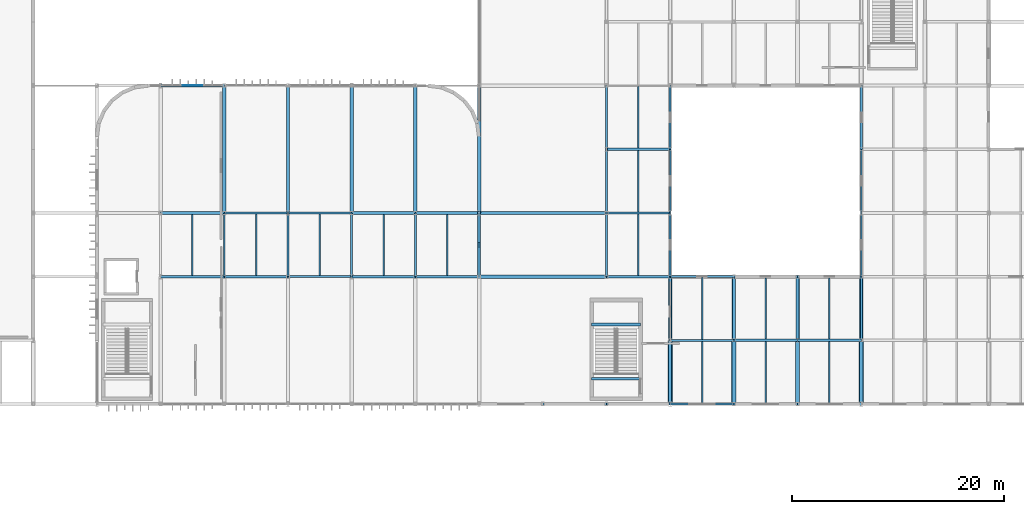
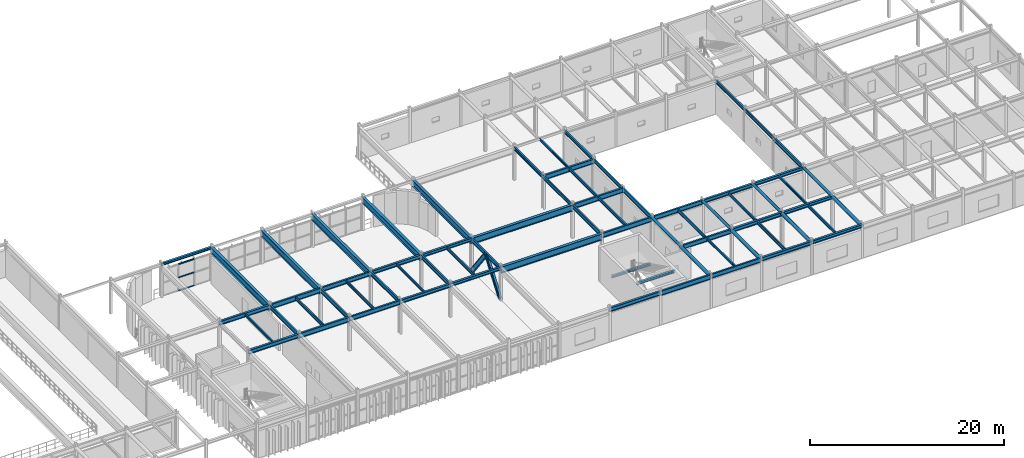
# One storey, part 48 of 96: 70 beams, 5 members, 1 element without a shape of its own.
"""IFC4 building model written with IfcOpenShell, lengths in metres."""

from ifc_helpers import new_model, si_unit, direction, frame, origin, origin_2d, place, context, subcontext, project, spatial, rectangle, hollow_circle, i_section, extrude, material, material_profile, profile_set, type_object, element, aggregate, save


model = new_model("IFC4")

# Units and contexts
model_context = context("Model", 3, precision=1e-05, world=origin(), true_north=direction((0.0, 1.0)))
body_context = subcontext(model_context, "Body", "Model", "MODEL_VIEW")
ifc_project = project(units=[si_unit("LENGTHUNIT", "METRE"), si_unit("AREAUNIT", "SQUARE_METRE"), si_unit("VOLUMEUNIT", "CUBIC_METRE"), si_unit("PLANEANGLEUNIT", "RADIAN"), si_unit("MASSUNIT", "GRAM", prefix="KILO")], contexts=[model_context])

# Site, building, storey
site_placement = place(None, origin())
site = spatial("IfcSite", under=ifc_project, at=site_placement, CompositionType="ELEMENT")
building_placement = place(site_placement, origin())
building = spatial("IfcBuilding", under=site, at=building_placement, Name="Varnakota Square Police Headquarters", CompositionType="ELEMENT")
storey_placement = place(building_placement, frame((0.0, 0.0, 4.800048828125)))
storey = spatial("IfcBuildingStorey", under=building, at=storey_placement, Name="L01", CompositionType="ELEMENT", Elevation=4.800048828125)

# Beams
ifc_material_1 = material(Name="Steel IS 2062 Grade 350", Category="steel")
ifc_material_profile_1 = material_profile(ifc_material_1, hollow_circle(Radius=0.161865234375, WallThickness=0.0126953125, at=origin_2d()), Name="CHS 323.9x12.7")
ifc_profile_set_1 = profile_set([ifc_material_profile_1], Name="Steel IS 2062 Grade 350")
beam_type_1 = type_object("IfcBeamType", Name="BM-ARC-CHS324", PredefinedType="BEAM", material=ifc_profile_set_1)
for number, where, z_axis, x_axis, name in (
    (1, (114.0, 75.0, 4.0380859375), (0.0, 1.0, 0.0), (-1.0, 0.0, 0.0), "BMG-L01-1689"),
    (2, (120.0, 75.0, 4.0380859375), (0.0, 1.0, 0.0), (-1.0, 0.0, 0.0), "BMG-L01-1698"),
    (3, (126.0, 75.0, 4.0380859375), (0.0, 1.0, 0.0), (-1.0, 0.0, 0.0), "BMG-L01-1704"),
    (4, (132.0, 75.0, 4.0380859375), (0.0, 1.0, 0.0), (-1.0, 0.0, 0.0), "BMG-L01-1710"),
):
    element("IfcBeam", number, at=place(storey_placement, frame(where, z_axis=z_axis, x_axis=x_axis)), inside=storey, type_object=beam_type_1, Name=name, PredefinedType="BEAM", context=body_context, shape_type="SweptSolid", body=[
        extrude(hollow_circle(Radius=0.161865234375, WallThickness=0.0126953125, at=origin_2d()), origin(), (0.0, 0.0, 1.0), 6.0),
    ])
ifc_material_profile_2 = material_profile(ifc_material_1, hollow_circle(Radius=0.203125, WallThickness=0.01611328125, at=origin_2d()), Name="CHS 406.4x16.0")
ifc_profile_set_2 = profile_set([ifc_material_profile_2], Name="Steel IS 2062 Grade 350")
beam_type_2 = type_object("IfcBeamType", Name="BM-ARC-CHS406", PredefinedType="BEAM", material=ifc_profile_set_2)
for number, where, z_axis, x_axis, name in (
    (5, (114.0, 69.0, 3.996826171875), (0.0, 1.0, 0.0), (-1.0, 0.0, 0.0), "BMG-L01-1688"),
    (6, (120.0, 69.0, 3.996826171875), (0.0, 1.0, 0.0), (-1.0, 0.0, 0.0), "BMG-L01-1697"),
    (7, (126.0, 69.0, 3.996826171875), (0.0, 1.0, 0.0), (-1.0, 0.0, 0.0), "BMG-L01-1703"),
    (8, (132.0, 69.0, 3.996826171875), (0.0, 1.0, 0.0), (-1.0, 0.0, 0.0), "BMG-L01-1709"),
):
    element("IfcBeam", number, at=place(storey_placement, frame(where, z_axis=z_axis, x_axis=x_axis)), inside=storey, type_object=beam_type_2, Name=name, PredefinedType="BEAM", context=body_context, shape_type="SweptSolid", body=[
        extrude(hollow_circle(Radius=0.203125, WallThickness=0.01611328125, at=origin_2d()), origin(), (0.0, 0.0, 1.0), 6.0),
    ])
ifc_material_profile_3 = material_profile(ifc_material_1, i_section(OverallWidth=0.320068359375, OverallDepth=0.800048828125, WebThickness=0.01611328125, FlangeThickness=0.028076171875, at=origin_2d()), Name="BPG 800x320")
ifc_profile_set_3 = profile_set([ifc_material_profile_3], Name="Steel IS 2062 Grade 350")
beam_type_3 = type_object("IfcBeamType", Name="BM-BPG800", PredefinedType="BEAM", material=ifc_profile_set_3)
for number, where, z_axis, x_axis, name in (
    (9, (96.0, 81.0, 3.800048828125), (1.0, 0.0, 0.0), (0.0, 1.0, 0.0), "BMG-L01-1464"),
    (10, (96.0, 87.0, 3.800048828125), (1.0, 0.0, 0.0), (0.0, 1.0, 0.0), "BMG-L01-1481"),
    (11, (72.0, 87.0, 3.800048828125), (0.0, 1.0, 0.0), (-1.0, 0.0, 0.0), "BMG-L01-1655"),
    (12, (78.0, 87.0, 3.800048828125), (0.0, 1.0, 0.0), (-1.0, 0.0, 0.0), "BMG-L01-1659"),
    (13, (84.0, 87.0, 3.800048828125), (0.0, 1.0, 0.0), (-1.0, 0.0, 0.0), "BMG-L01-1663"),
    (14, (90.0, 87.0, 3.800048828125), (0.0, 1.0, 0.0), (-1.0, 0.0, 0.0), "BMG-L01-1667"),
    (15, (96.0, 87.0, 3.800048828125), (0.0, 1.0, 0.0), (-1.0, 0.0, 0.0), "BMG-L01-1676"),
):
    element("IfcBeam", number, at=place(storey_placement, frame(where, z_axis=z_axis, x_axis=x_axis)), inside=storey, type_object=beam_type_3, Name=name, PredefinedType="BEAM", context=body_context, shape_type="SweptSolid", body=[
        extrude(i_section(OverallWidth=0.320068359375, OverallDepth=0.800048828125, WebThickness=0.01611328125, FlangeThickness=0.028076171875, at=origin_2d()), origin(), (0.0, 0.0, 1.0), 12.0),
    ])
ifc_material_profile_4 = material_profile(ifc_material_1, i_section(OverallWidth=0.25, OverallDepth=0.300048828125, WebThickness=0.009521484375, FlangeThickness=0.010498046875, FilletRadius=0.011962890625, at=origin_2d()), Name="ISHB 300")
ifc_profile_set_4 = profile_set([ifc_material_profile_4], Name="Steel IS 2062 Grade 350")
beam_type_4 = type_object("IfcBeamType", Name="BM-ISHB300", PredefinedType="BEAM", material=ifc_profile_set_4)
beam_1_placement = place(storey_placement, frame((66.0, 99.0, 4.050048828125), z_axis=(1.0, 0.0, 0.0), x_axis=(0.0, 1.0, 0.0)))
element("IfcBeam", 16, at=beam_1_placement, inside=storey, type_object=beam_type_4, Name="BMG-L01-1496", PredefinedType="BEAM", context=body_context, shape_type="SweptSolid", body=[
    extrude(i_section(OverallWidth=0.25, OverallDepth=0.300048828125, WebThickness=0.009521484375, FlangeThickness=0.010498046875, FilletRadius=0.011962890625, at=origin_2d()), origin(), (0.0, 0.0, 1.0), 6.0),
])
for number, where, z_axis, x_axis, name in (
    (17, (106.60009765625, 76.500732421875, 1.93798828125), (1.0, 0.0, 0.0), (0.0, 1.0, 0.0), "Stair landing support beam BM-LND-0098"),
    (18, (106.60009765625, 71.400146484375, 4.14990234375), (1.0, 0.0, 0.0), (0.0, 1.0, 0.0), "Stair landing support beam BM-LND-0099"),
):
    element("IfcBeam", number, at=place(storey_placement, frame(where, z_axis=z_axis, x_axis=x_axis)), inside=storey, type_object=beam_type_4, Name=name, PredefinedType="BEAM", context=body_context, shape_type="SweptSolid", body=[
        extrude(i_section(OverallWidth=0.25, OverallDepth=0.300048828125, WebThickness=0.009521484375, FlangeThickness=0.010498046875, FilletRadius=0.011962890625, at=origin_2d()), origin(), (0.0, 0.0, 1.0), 4.599853515625),
    ])
ifc_material_profile_5 = material_profile(ifc_material_1, i_section(OverallWidth=0.25, OverallDepth=0.39990234375, WebThickness=0.010498046875, FlangeThickness=0.0126953125, FilletRadius=0.013916015625, at=origin_2d()), Name="ISHB 400")
ifc_profile_set_5 = profile_set([ifc_material_profile_5], Name="Steel IS 2062 Grade 350")
beam_type_5 = type_object("IfcBeamType", Name="BM-ISHB400", PredefinedType="BEAM", material=ifc_profile_set_5)
for number, where, z_axis, x_axis, name in (
    (19, (126.0, 69.0, 4.0), (1.0, 0.0, 0.0), (0.0, 1.0, 0.0), "BMG-L01-1437"),
    (20, (126.0, 75.0, 4.0), (1.0, 0.0, 0.0), (0.0, 1.0, 0.0), "BMG-L01-1452"),
    (21, (90.0, 81.0, 4.0), (1.0, 0.0, 0.0), (0.0, 1.0, 0.0), "BMG-L01-1463"),
    (22, (126.0, 81.0, 4.0), (1.0, 0.0, 0.0), (0.0, 1.0, 0.0), "BMG-L01-1468"),
    (23, (90.0, 87.0, 4.0), (1.0, 0.0, 0.0), (0.0, 1.0, 0.0), "BMG-L01-1480"),
):
    element("IfcBeam", number, at=place(storey_placement, frame(where, z_axis=z_axis, x_axis=x_axis)), inside=storey, type_object=beam_type_5, Name=name, PredefinedType="BEAM", context=body_context, shape_type="SweptSolid", body=[
        extrude(i_section(OverallWidth=0.25, OverallDepth=0.39990234375, WebThickness=0.010498046875, FlangeThickness=0.0126953125, FilletRadius=0.013916015625, at=origin_2d()), origin(), (0.0, 0.0, 1.0), 6.0),
    ])
ifc_material_profile_6 = material_profile(ifc_material_1, i_section(OverallWidth=0.25, OverallDepth=0.449951171875, WebThickness=0.01123046875, FlangeThickness=0.013671875, FilletRadius=0.014892578125, at=origin_2d()), Name="ISHB 450")
ifc_profile_set_6 = profile_set([ifc_material_profile_6], Name="Steel IS 2062 Grade 350")
beam_type_6 = type_object("IfcBeamType", Name="BM-ISHB450", PredefinedType="BEAM", material=ifc_profile_set_6)
for number, where, z_axis, x_axis, name in (
    (24, (120.0, 69.0, 3.974853515625), (1.0, 0.0, 0.0), (0.0, 1.0, 0.0), "BMG-L01-1436"),
    (25, (120.0, 75.0, 3.974853515625), (1.0, 0.0, 0.0), (0.0, 1.0, 0.0), "BMG-L01-1451"),
    (26, (84.0, 81.0, 3.974853515625), (1.0, 0.0, 0.0), (0.0, 1.0, 0.0), "BMG-L01-1462"),
    (27, (120.0, 81.0, 3.974853515625), (1.0, 0.0, 0.0), (0.0, 1.0, 0.0), "BMG-L01-1467"),
    (28, (84.0, 87.0, 3.974853515625), (1.0, 0.0, 0.0), (0.0, 1.0, 0.0), "BMG-L01-1479"),
):
    element("IfcBeam", number, at=place(storey_placement, frame(where, z_axis=z_axis, x_axis=x_axis)), inside=storey, type_object=beam_type_6, Name=name, PredefinedType="BEAM", context=body_context, shape_type="SweptSolid", body=[
        extrude(i_section(OverallWidth=0.25, OverallDepth=0.449951171875, WebThickness=0.01123046875, FlangeThickness=0.013671875, FilletRadius=0.014892578125, at=origin_2d()), origin(), (0.0, 0.0, 1.0), 6.0),
    ])
ifc_material_profile_7 = material_profile(ifc_material_1, i_section(OverallWidth=0.139892578125, OverallDepth=0.300048828125, WebThickness=0.0078125, FlangeThickness=0.01318359375, FilletRadius=0.013916015625, at=origin_2d()), Name="ISMB 300")
ifc_profile_set_7 = profile_set([ifc_material_profile_7], Name="Steel IS 2062 Grade 350")
beam_type_7 = type_object("IfcBeamType", Name="BM-ISMB300", PredefinedType="JOIST", material=ifc_profile_set_7)
for number, where, z_axis, x_axis, name in (
    (29, (69.0, 81.123046875, 4.050048828125), (0.0, 1.0, 0.0), (-1.0, 0.0, 0.0), "BMG-L01-1841"),
    (30, (87.0, 81.123046875, 4.050048828125), (0.0, 1.0, 0.0), (-1.0, 0.0, 0.0), "BMG-L01-1844"),
):
    element("IfcBeam", number, at=place(storey_placement, frame(where, z_axis=z_axis, x_axis=x_axis)), inside=storey, type_object=beam_type_7, Name=name, PredefinedType="JOIST", context=body_context, shape_type="SweptSolid", body=[
        extrude(i_section(OverallWidth=0.139892578125, OverallDepth=0.300048828125, WebThickness=0.0078125, FlangeThickness=0.01318359375, FilletRadius=0.013916015625, at=origin_2d()), origin(), (0.0, 0.0, 1.0), 5.75390625),
    ])
beam_2_placement = place(storey_placement, frame((111.0, 93.10302734375, 4.050048828125), z_axis=(0.0, 1.0, 0.0), x_axis=(-1.0, 0.0, 0.0)))
element("IfcBeam", 31, at=beam_2_placement, inside=storey, type_object=beam_type_7, Name="BMG-L01-1850", PredefinedType="JOIST", context=body_context, shape_type="SweptSolid", body=[
    extrude(i_section(OverallWidth=0.139892578125, OverallDepth=0.300048828125, WebThickness=0.0078125, FlangeThickness=0.01318359375, FilletRadius=0.013916015625, at=origin_2d()), origin(), (0.0, 0.0, 1.0), 5.823974609375),
])
beam_3_placement = place(storey_placement, frame((117.0, 69.093017578125, 4.050048828125), z_axis=(0.0, 1.0, 0.0), x_axis=(-1.0, 0.0, 0.0)))
element("IfcBeam", 32, at=beam_3_placement, inside=storey, type_object=beam_type_7, Name="BMG-L01-1853", PredefinedType="JOIST", context=body_context, shape_type="SweptSolid", body=[
    extrude(i_section(OverallWidth=0.139892578125, OverallDepth=0.300048828125, WebThickness=0.0078125, FlangeThickness=0.01318359375, FilletRadius=0.013916015625, at=origin_2d()), origin(), (0.0, 0.0, 1.0), 5.81396484375),
])
beam_4_placement = place(storey_placement, frame((129.0, 75.123046875, 4.050048828125), z_axis=(0.0, 1.0, 0.0), x_axis=(-1.0, 0.0, 0.0)))
element("IfcBeam", 33, at=beam_4_placement, inside=storey, type_object=beam_type_7, Name="BMG-L01-1861", PredefinedType="JOIST", context=body_context, shape_type="SweptSolid", body=[
    extrude(i_section(OverallWidth=0.139892578125, OverallDepth=0.300048828125, WebThickness=0.0078125, FlangeThickness=0.01318359375, FilletRadius=0.013916015625, at=origin_2d()), origin(), (0.0, 0.0, 1.0), 5.75390625),
])
ifc_material_profile_8 = material_profile(ifc_material_1, i_section(OverallWidth=0.139892578125, OverallDepth=0.35009765625, WebThickness=0.008056640625, FlangeThickness=0.01416015625, FilletRadius=0.013916015625, at=origin_2d()), Name="ISMB 350")
ifc_profile_set_8 = profile_set([ifc_material_profile_8], Name="Steel IS 2062 Grade 350")
beam_type_8 = type_object("IfcBeamType", Name="BM-ISMB350", PredefinedType="JOIST", material=ifc_profile_set_8)
beam_5_placement = place(storey_placement, frame((81.0, 81.093017578125, 4.02490234375), z_axis=(0.0, 1.0, 0.0), x_axis=(-1.0, 0.0, 0.0)))
element("IfcBeam", 34, at=beam_5_placement, inside=storey, type_object=beam_type_8, Name="BMG-L01-1843", PredefinedType="JOIST", context=body_context, shape_type="SweptSolid", body=[
    extrude(i_section(OverallWidth=0.139892578125, OverallDepth=0.35009765625, WebThickness=0.008056640625, FlangeThickness=0.01416015625, FilletRadius=0.013916015625, at=origin_2d()), origin(), (0.0, 0.0, 1.0), 5.81396484375),
])
beam_6_placement = place(storey_placement, frame((111.0, 87.10302734375, 4.02490234375), z_axis=(0.0, 1.0, 0.0), x_axis=(-1.0, 0.0, 0.0)))
element("IfcBeam", 35, at=beam_6_placement, inside=storey, type_object=beam_type_8, Name="BMG-L01-1849", PredefinedType="JOIST", context=body_context, shape_type="SweptSolid", body=[
    extrude(i_section(OverallWidth=0.139892578125, OverallDepth=0.35009765625, WebThickness=0.008056640625, FlangeThickness=0.01416015625, FilletRadius=0.013916015625, at=origin_2d()), origin(), (0.0, 0.0, 1.0), 5.7939453125),
])
for number, where, z_axis, x_axis, name in (
    (36, (123.0, 75.123046875, 4.02490234375), (0.0, 1.0, 0.0), (-1.0, 0.0, 0.0), "BMG-L01-1858"),
    (37, (129.0, 69.123046875, 4.02490234375), (0.0, 1.0, 0.0), (-1.0, 0.0, 0.0), "BMG-L01-1860"),
):
    element("IfcBeam", number, at=place(storey_placement, frame(where, z_axis=z_axis, x_axis=x_axis)), inside=storey, type_object=beam_type_8, Name=name, PredefinedType="JOIST", context=body_context, shape_type="SweptSolid", body=[
        extrude(i_section(OverallWidth=0.139892578125, OverallDepth=0.35009765625, WebThickness=0.008056640625, FlangeThickness=0.01416015625, FilletRadius=0.013916015625, at=origin_2d()), origin(), (0.0, 0.0, 1.0), 5.75390625),
    ])
ifc_material_profile_9 = material_profile(ifc_material_1, i_section(OverallWidth=0.139892578125, OverallDepth=0.39990234375, WebThickness=0.0087890625, FlangeThickness=0.01611328125, FilletRadius=0.013916015625, at=origin_2d()), Name="ISMB 400")
ifc_profile_set_9 = profile_set([ifc_material_profile_9], Name="Steel IS 2062 Grade 350")
beam_type_9 = type_object("IfcBeamType", Name="BM-ISMB400", PredefinedType="JOIST", material=ifc_profile_set_9)
beam_7_placement = place(storey_placement, frame((75.0, 81.10302734375, 4.0), z_axis=(0.0, 1.0, 0.0), x_axis=(-1.0, 0.0, 0.0)))
element("IfcBeam", 38, at=beam_7_placement, inside=storey, type_object=beam_type_9, Name="BMG-L01-1842", PredefinedType="JOIST", context=body_context, shape_type="SweptSolid", body=[
    extrude(i_section(OverallWidth=0.139892578125, OverallDepth=0.39990234375, WebThickness=0.0087890625, FlangeThickness=0.01611328125, FilletRadius=0.013916015625, at=origin_2d()), origin(), (0.0, 0.0, 1.0), 5.7939453125),
])
beam_8_placement = place(storey_placement, frame((93.0, 81.123046875, 4.0), z_axis=(0.0, 1.0, 0.0), x_axis=(-1.0, 0.0, 0.0)))
element("IfcBeam", 39, at=beam_8_placement, inside=storey, type_object=beam_type_9, Name="BMG-L01-1845", PredefinedType="JOIST", context=body_context, shape_type="SweptSolid", body=[
    extrude(i_section(OverallWidth=0.139892578125, OverallDepth=0.39990234375, WebThickness=0.0087890625, FlangeThickness=0.01611328125, FilletRadius=0.013916015625, at=origin_2d()), origin(), (0.0, 0.0, 1.0), 5.75390625),
])
beam_9_placement = place(storey_placement, frame((111.0, 81.10302734375, 4.0), z_axis=(0.0, 1.0, 0.0), x_axis=(-1.0, 0.0, 0.0)))
element("IfcBeam", 40, at=beam_9_placement, inside=storey, type_object=beam_type_9, Name="BMG-L01-1848", PredefinedType="JOIST", context=body_context, shape_type="SweptSolid", body=[
    extrude(i_section(OverallWidth=0.139892578125, OverallDepth=0.39990234375, WebThickness=0.0087890625, FlangeThickness=0.01611328125, FilletRadius=0.013916015625, at=origin_2d()), origin(), (0.0, 0.0, 1.0), 5.7939453125),
])
beam_10_placement = place(storey_placement, frame((117.0, 75.093017578125, 4.0), z_axis=(0.0, 1.0, 0.0), x_axis=(-1.0, 0.0, 0.0)))
element("IfcBeam", 41, at=beam_10_placement, inside=storey, type_object=beam_type_9, Name="BMG-L01-1854", PredefinedType="JOIST", context=body_context, shape_type="SweptSolid", body=[
    extrude(i_section(OverallWidth=0.139892578125, OverallDepth=0.39990234375, WebThickness=0.0087890625, FlangeThickness=0.01611328125, FilletRadius=0.013916015625, at=origin_2d()), origin(), (0.0, 0.0, 1.0), 5.81396484375),
])
beam_11_placement = place(storey_placement, frame((123.0, 69.123046875, 4.0), z_axis=(0.0, 1.0, 0.0), x_axis=(-1.0, 0.0, 0.0)))
element("IfcBeam", 42, at=beam_11_placement, inside=storey, type_object=beam_type_9, Name="BMG-L01-1857", PredefinedType="JOIST", context=body_context, shape_type="SweptSolid", body=[
    extrude(i_section(OverallWidth=0.139892578125, OverallDepth=0.39990234375, WebThickness=0.0087890625, FlangeThickness=0.01611328125, FilletRadius=0.013916015625, at=origin_2d()), origin(), (0.0, 0.0, 1.0), 5.75390625),
])
ifc_material_profile_10 = material_profile(ifc_material_1, i_section(OverallWidth=0.14990234375, OverallDepth=0.449951171875, WebThickness=0.009521484375, FlangeThickness=0.017333984375, FilletRadius=0.014892578125, at=origin_2d()), Name="ISMB 450")
ifc_profile_set_10 = profile_set([ifc_material_profile_10], Name="Steel IS 2062 Grade 350")
beam_type_10 = type_object("IfcBeamType", Name="BM-ISMB450", PredefinedType="BEAM", material=ifc_profile_set_10)
for number, where, z_axis, x_axis, name in (
    (43, (108.0, 87.0, 3.974853515625), (0.0, 1.0, 0.0), (-1.0, 0.0, 0.0), "BMG-L01-1682"),
    (44, (114.0, 87.0, 3.974853515625), (0.0, 1.0, 0.0), (-1.0, 0.0, 0.0), "BMG-L01-1691"),
    (45, (132.0, 87.0, 3.974853515625), (0.0, 1.0, 0.0), (-1.0, 0.0, 0.0), "BMG-L01-1712"),
):
    element("IfcBeam", number, at=place(storey_placement, frame(where, z_axis=z_axis, x_axis=x_axis)), inside=storey, type_object=beam_type_10, Name=name, PredefinedType="BEAM", context=body_context, shape_type="SweptSolid", body=[
        extrude(i_section(OverallWidth=0.14990234375, OverallDepth=0.449951171875, WebThickness=0.009521484375, FlangeThickness=0.017333984375, FilletRadius=0.014892578125, at=origin_2d()), origin(), (0.0, 0.0, 1.0), 6.0),
    ])
ifc_material_profile_11 = material_profile(ifc_material_1, i_section(OverallWidth=0.179931640625, OverallDepth=0.5, WebThickness=0.01025390625, FlangeThickness=0.01708984375, FilletRadius=0.01708984375, at=origin_2d()), Name="ISMB 500")
ifc_profile_set_11 = profile_set([ifc_material_profile_11], Name="Steel IS 2062 Grade 350")
beam_type_11 = type_object("IfcBeamType", Name="BM-ISMB500", PredefinedType="BEAM", material=ifc_profile_set_11)
for number, where, z_axis, x_axis, name in (
    (46, (72.0, 81.0, 3.949951171875), (0.0, 1.0, 0.0), (-1.0, 0.0, 0.0), "BMG-L01-1654"),
    (47, (78.0, 81.0, 3.949951171875), (0.0, 1.0, 0.0), (-1.0, 0.0, 0.0), "BMG-L01-1658"),
    (48, (84.0, 81.0, 3.949951171875), (0.0, 1.0, 0.0), (-1.0, 0.0, 0.0), "BMG-L01-1662"),
    (49, (90.0, 81.0, 3.949951171875), (0.0, 1.0, 0.0), (-1.0, 0.0, 0.0), "BMG-L01-1666"),
    (50, (96.0, 81.0, 3.949951171875), (0.0, 1.0, 0.0), (-1.0, 0.0, 0.0), "BMG-L01-1675"),
    (51, (108.0, 81.0, 3.949951171875), (0.0, 1.0, 0.0), (-1.0, 0.0, 0.0), "BMG-L01-1681"),
    (52, (114.0, 81.0, 3.949951171875), (0.0, 1.0, 0.0), (-1.0, 0.0, 0.0), "BMG-L01-1690"),
    (53, (132.0, 81.0, 3.949951171875), (0.0, 1.0, 0.0), (-1.0, 0.0, 0.0), "BMG-L01-1711"),
):
    element("IfcBeam", number, at=place(storey_placement, frame(where, z_axis=z_axis, x_axis=x_axis)), inside=storey, type_object=beam_type_11, Name=name, PredefinedType="BEAM", context=body_context, shape_type="SweptSolid", body=[
        extrude(i_section(OverallWidth=0.179931640625, OverallDepth=0.5, WebThickness=0.01025390625, FlangeThickness=0.01708984375, FilletRadius=0.01708984375, at=origin_2d()), origin(), (0.0, 0.0, 1.0), 6.0),
    ])
ifc_material_profile_12 = material_profile(ifc_material_1, i_section(OverallWidth=0.18994140625, OverallDepth=0.550048828125, WebThickness=0.01123046875, FlangeThickness=0.019287109375, FilletRadius=0.01806640625, at=origin_2d()), Name="ISMB 550")
ifc_profile_set_12 = profile_set([ifc_material_profile_12], Name="Steel IS 2062 Grade 350")
beam_type_12 = type_object("IfcBeamType", Name="BM-ISMB550", PredefinedType="BEAM", material=ifc_profile_set_12)
for number, where, z_axis, x_axis, name in (
    (54, (114.0, 69.0, 3.925048828125), (1.0, 0.0, 0.0), (0.0, 1.0, 0.0), "BMG-L01-1435"),
    (55, (114.0, 75.0, 3.925048828125), (1.0, 0.0, 0.0), (0.0, 1.0, 0.0), "BMG-L01-1450"),
    (56, (78.0, 81.0, 3.925048828125), (1.0, 0.0, 0.0), (0.0, 1.0, 0.0), "BMG-L01-1461"),
    (57, (114.0, 81.0, 3.925048828125), (1.0, 0.0, 0.0), (0.0, 1.0, 0.0), "BMG-L01-1466"),
    (58, (78.0, 87.0, 3.925048828125), (1.0, 0.0, 0.0), (0.0, 1.0, 0.0), "BMG-L01-1478"),
):
    element("IfcBeam", number, at=place(storey_placement, frame(where, z_axis=z_axis, x_axis=x_axis)), inside=storey, type_object=beam_type_12, Name=name, PredefinedType="BEAM", context=body_context, shape_type="SweptSolid", body=[
        extrude(i_section(OverallWidth=0.18994140625, OverallDepth=0.550048828125, WebThickness=0.01123046875, FlangeThickness=0.019287109375, FilletRadius=0.01806640625, at=origin_2d()), origin(), (0.0, 0.0, 1.0), 6.0),
    ])
ifc_material_profile_13 = material_profile(ifc_material_1, i_section(OverallWidth=0.2099609375, OverallDepth=0.60009765625, WebThickness=0.011962890625, FlangeThickness=0.020751953125, FilletRadius=0.02001953125, at=origin_2d()), Name="ISMB 600")
ifc_profile_set_13 = profile_set([ifc_material_profile_13], Name="Steel IS 2062 Grade 350")
beam_type_13 = type_object("IfcBeamType", Name="BM-ISMB600", PredefinedType="BEAM", material=ifc_profile_set_13)
for number, where, z_axis, x_axis, name in (
    (59, (108.0, 69.0, 3.89990234375), (1.0, 0.0, 0.0), (0.0, 1.0, 0.0), "BMG-L01-1434"),
    (60, (72.0, 81.0, 3.89990234375), (1.0, 0.0, 0.0), (0.0, 1.0, 0.0), "BMG-L01-1460"),
    (61, (108.0, 81.0, 3.89990234375), (1.0, 0.0, 0.0), (0.0, 1.0, 0.0), "BMG-L01-1465"),
    (62, (72.0, 87.0, 3.89990234375), (1.0, 0.0, 0.0), (0.0, 1.0, 0.0), "BMG-L01-1477"),
    (63, (108.0, 87.0, 3.89990234375), (1.0, 0.0, 0.0), (0.0, 1.0, 0.0), "BMG-L01-1482"),
    (64, (108.0, 93.0, 3.89990234375), (1.0, 0.0, 0.0), (0.0, 1.0, 0.0), "BMG-L01-1488"),
):
    element("IfcBeam", number, at=place(storey_placement, frame(where, z_axis=z_axis, x_axis=x_axis)), inside=storey, type_object=beam_type_13, Name=name, PredefinedType="BEAM", context=body_context, shape_type="SweptSolid", body=[
        extrude(i_section(OverallWidth=0.2099609375, OverallDepth=0.60009765625, WebThickness=0.011962890625, FlangeThickness=0.020751953125, FilletRadius=0.02001953125, at=origin_2d()), origin(), (0.0, 0.0, 1.0), 6.0),
    ])
ifc_material_profile_14 = material_profile(ifc_material_1, i_section(OverallWidth=0.199951171875, OverallDepth=0.39990234375, WebThickness=0.008544921875, FlangeThickness=0.012939453125, FilletRadius=0.012939453125, at=origin_2d()), Name="ISWB 400")
ifc_profile_set_14 = profile_set([ifc_material_profile_14], Name="Steel IS 2062 Grade 350")
beam_type_14 = type_object("IfcBeamType", Name="BM-ISWB400", PredefinedType="BEAM", material=ifc_profile_set_14)
for number, where, z_axis, x_axis, name in (
    (65, (108.0, 93.0, 4.0), (0.0, 1.0, 0.0), (-1.0, 0.0, 0.0), "BMG-L01-1683"),
    (66, (114.0, 93.0, 4.0), (0.0, 1.0, 0.0), (-1.0, 0.0, 0.0), "BMG-L01-1692"),
    (67, (132.0, 93.0, 4.0), (0.0, 1.0, 0.0), (-1.0, 0.0, 0.0), "BMG-L01-1713"),
):
    element("IfcBeam", number, at=place(storey_placement, frame(where, z_axis=z_axis, x_axis=x_axis)), inside=storey, type_object=beam_type_14, Name=name, PredefinedType="BEAM", context=body_context, shape_type="SweptSolid", body=[
        extrude(i_section(OverallWidth=0.199951171875, OverallDepth=0.39990234375, WebThickness=0.008544921875, FlangeThickness=0.012939453125, FilletRadius=0.012939453125, at=origin_2d()), origin(), (0.0, 0.0, 1.0), 6.0),
    ])
ifc_material_profile_15 = material_profile(ifc_material_1, i_section(OverallWidth=0.25, OverallDepth=0.5, WebThickness=0.010009765625, FlangeThickness=0.0146484375, FilletRadius=0.014892578125, at=origin_2d()), Name="ISWB 500")
ifc_profile_set_15 = profile_set([ifc_material_profile_15], Name="Steel IS 2062 Grade 350")
beam_type_15 = type_object("IfcBeamType", Name="BM-ISWB500", PredefinedType="BEAM", material=ifc_profile_set_15)
for number, where, z_axis, x_axis, name in (
    (68, (102.0, 69.0, 3.949951171875), (1.0, 0.0, 0.0), (0.0, 1.0, 0.0), "BMG-L01-1433"),
    (69, (66.0, 81.0, 3.949951171875), (1.0, 0.0, 0.0), (0.0, 1.0, 0.0), "BMG-L01-1459"),
    (70, (66.0, 87.0, 3.949951171875), (1.0, 0.0, 0.0), (0.0, 1.0, 0.0), "BMG-L01-1476"),
):
    element("IfcBeam", number, at=place(storey_placement, frame(where, z_axis=z_axis, x_axis=x_axis)), inside=storey, type_object=beam_type_15, Name=name, PredefinedType="BEAM", context=body_context, shape_type="SweptSolid", body=[
        extrude(i_section(OverallWidth=0.25, OverallDepth=0.5, WebThickness=0.010009765625, FlangeThickness=0.0146484375, FilletRadius=0.014892578125, at=origin_2d()), origin(), (0.0, 0.0, 1.0), 6.0),
    ])

# Curtain wall, members
ifc_material_2 = material(Name="Anodised Aluminium Framing", Category="aluminium")
curtain_wall_type = type_object("IfcCurtainWallType", Name="CW-SYS-C", PredefinedType="NOTDEFINED", material=ifc_material_2)
curtain_wall_placement = place(storey_placement, origin())
curtain_wall = element("IfcCurtainWall", 71, at=curtain_wall_placement, inside=storey, type_object=curtain_wall_type, Name="Unitised curtain wall CWG-L01-232", PredefinedType="NOTDEFINED")
ifc_material_3 = material(Name="Anodised Aluminium 6063-T6", Category="aluminium")
ifc_material_profile_16 = material_profile(ifc_material_3, rectangle(XDim=0.06494140625, YDim=0.1298828125, at=origin_2d()), Name="ALU TRANSOM 65x130")
ifc_profile_set_16 = profile_set([ifc_material_profile_16], Name="Anodised Aluminium 6063-T6")
member_type_1 = type_object("IfcMemberType", Name="CWT-120", PredefinedType="USERDEFINED", material=ifc_profile_set_16)
member_1_placement = place(storey_placement, frame((68.0673828125, 99.0, 0.032470703125), z_axis=(1.0, 0.0, 0.0), x_axis=(0.0, 1.0, 0.0)))
member_1 = element("IfcMember", 72, at=member_1_placement, type_object=member_type_1, Name="CWG-L01-232 transom 2.1", ObjectType="TRANSOM", PredefinedType="USERDEFINED", context=body_context, shape_type="SweptSolid", body=[
    extrude(rectangle(XDim=0.06494140625, YDim=0.1298828125, at=origin_2d()), origin(), (0.0, 0.0, 1.0), 1.840087890625),
])
member_2_placement = place(storey_placement, frame((68.0673828125, 99.0, 1.695068359375), z_axis=(1.0, 0.0, 0.0), x_axis=(0.0, 1.0, 0.0)))
member_2 = element("IfcMember", 73, at=member_2_placement, type_object=member_type_1, Name="CWG-L01-232 transom 2.2", ObjectType="TRANSOM", PredefinedType="USERDEFINED", context=body_context, shape_type="SweptSolid", body=[
    extrude(rectangle(XDim=0.06494140625, YDim=0.1298828125, at=origin_2d()), origin(), (0.0, 0.0, 1.0), 1.840087890625),
])
member_3_placement = place(storey_placement, frame((68.0673828125, 99.0, 3.357421875), z_axis=(1.0, 0.0, 0.0), x_axis=(0.0, 1.0, 0.0)))
member_3 = element("IfcMember", 74, at=member_3_placement, type_object=member_type_1, Name="CWG-L01-232 transom 2.3", ObjectType="TRANSOM", PredefinedType="USERDEFINED", context=body_context, shape_type="SweptSolid", body=[
    extrude(rectangle(XDim=0.06494140625, YDim=0.1298828125, at=origin_2d()), origin(), (0.0, 0.0, 1.0), 1.840087890625),
])
aggregate(curtain_wall, [member_1, member_2, member_3])

# Members
ifc_material_profile_17 = material_profile(ifc_material_1, i_section(OverallWidth=0.25, OverallDepth=0.5, WebThickness=0.010009765625, FlangeThickness=0.0146484375, FilletRadius=0.014892578125, at=origin_2d()), Name="ISWB 500")
ifc_profile_set_17 = profile_set([ifc_material_profile_17], Name="Steel IS 2062 Grade 350")
member_type_2 = type_object("IfcMemberType", Name="MEM-BR-ISWB500", PredefinedType="BRACE", material=ifc_profile_set_17)
for number, where, z_axis, x_axis, name in (
    (75, (96.0, 81.050048828125, 0.02001953125), (0.0, 0.600325874044, 0.79975549073), (-1.0, 0.0, 0.0), "Lateral brace BF6 L01 left"),
    (76, (96.0, 86.949951171875, 0.02001953125), (0.0, -0.600325874044, 0.79975549073), (1.0, 0.0, 0.0), "Lateral brace BF6 L01 right"),
):
    element("IfcMember", number, at=place(storey_placement, frame(where, z_axis=z_axis, x_axis=x_axis)), inside=storey, type_object=member_type_2, Name=name, PredefinedType="BRACE", context=body_context, shape_type="SweptSolid", body=[
        extrude(i_section(OverallWidth=0.25, OverallDepth=0.5, WebThickness=0.010009765625, FlangeThickness=0.0146484375, FilletRadius=0.014892578125, at=origin_2d()), origin(), (0.0, 0.0, 1.0), 4.913818359375),
    ])

save(model, "model.ifc")
